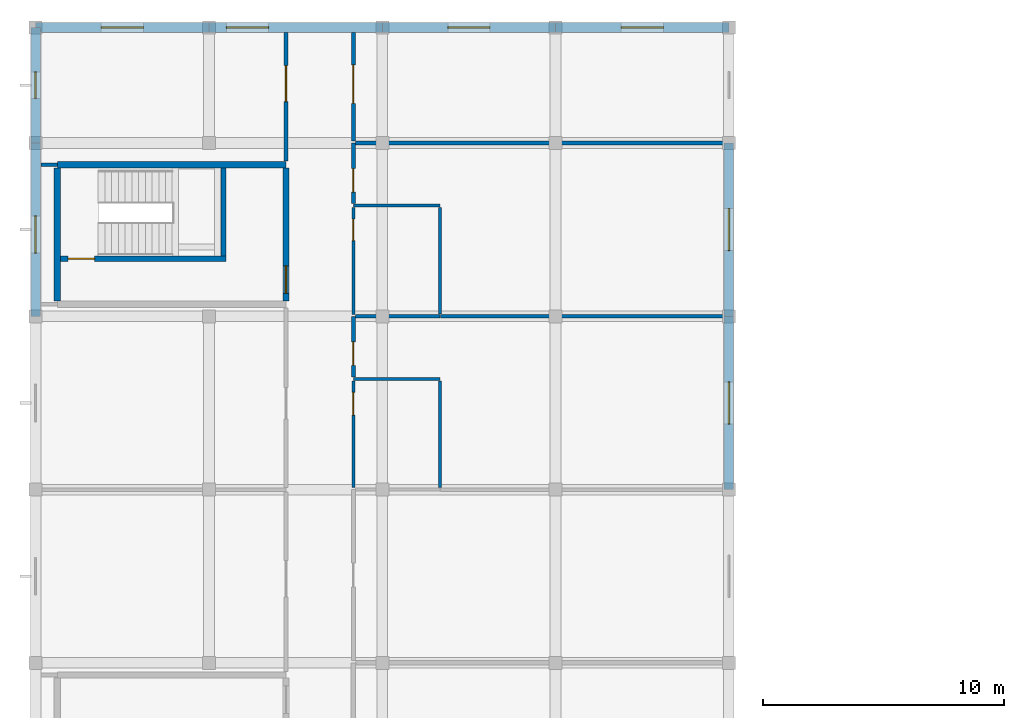
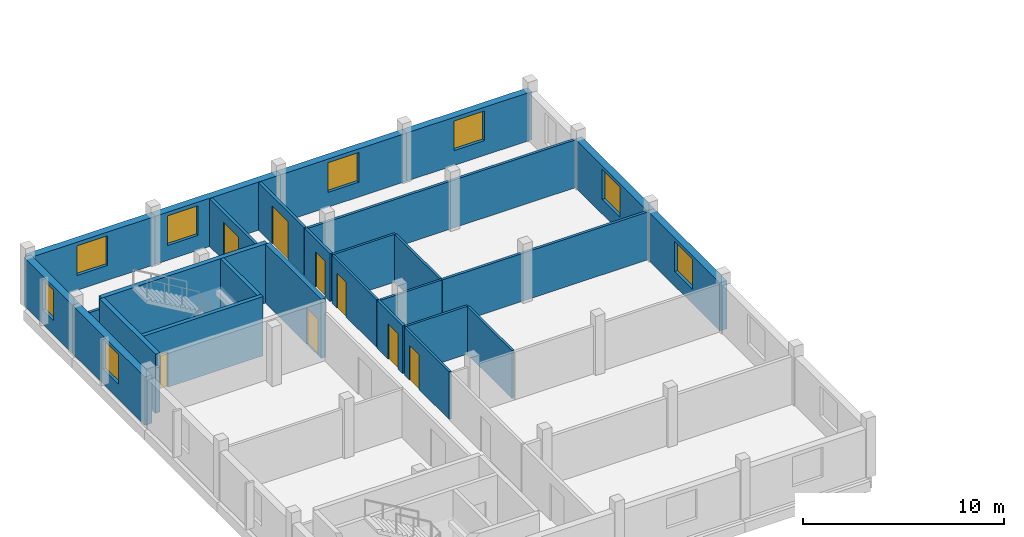
# One storey, part 79 of 93: 27 walls, 8 doors, 8 windows, 16 openings.
"""IFC4 building model written with IfcOpenShell, lengths in metres."""

from ifc_helpers import new_model, si_unit, direction, frame, frame_2d, origin, place, context, subcontext, project, spatial, rectangle, extrude, material, layer, layer_set, type_object, element, fill, save


model = new_model("IFC4")

# Units and contexts
model_context = context("Model", 3, precision=1e-05, world=origin(), true_north=direction((0.0, 1.0)))
body_context = subcontext(model_context, "Body", "Model", "MODEL_VIEW")
ifc_project = project(units=[si_unit("LENGTHUNIT", "METRE"), si_unit("AREAUNIT", "SQUARE_METRE"), si_unit("VOLUMEUNIT", "CUBIC_METRE"), si_unit("PLANEANGLEUNIT", "RADIAN"), si_unit("MASSUNIT", "GRAM", prefix="KILO")], contexts=[model_context])

# Site, building, storey
site_placement = place(None, origin())
site = spatial("IfcSite", under=ifc_project, at=site_placement, CompositionType="ELEMENT")
building_placement = place(site_placement, origin())
building = spatial("IfcBuilding", under=site, at=building_placement, Name="Zornivar Specialist Clinic", CompositionType="ELEMENT")
storey_placement = place(building_placement, frame((0.0, 0.0, 8.39990234375)))
storey = spatial("IfcBuildingStorey", under=building, at=storey_placement, Name="L02", CompositionType="ELEMENT", Elevation=8.39990234375)

# Wall, opening, window
ifc_material_1 = material(Name="Masonry Hygienic Insulated Procedure Wing Wall", Category="masonry")
ifc_layer_1 = layer(ifc_material_1, 0.39990234375)
ifc_layer_set_1 = layer_set([ifc_layer_1], Name="Masonry Hygienic Insulated Procedure Wing Wall")
wall_type_1 = type_object("IfcWallType", Name="EW-PROC-400", PredefinedType="SOLIDWALL", material=ifc_layer_set_1)
wall_1_placement = place(storey_placement, frame((28.800048828125, 93.60009765625, 0.0), z_axis=(0.0, 0.0, 1.0), x_axis=(0.0, 1.0, 0.0)))
wall_1 = element("IfcWall", 1, at=wall_1_placement, inside=storey, type_object=wall_type_1, Name="ew:V5:L02:06", PredefinedType="SOLIDWALL", context=body_context, shape_type="SweptSolid", body=[
    extrude(rectangle(XDim=7.199951171875, YDim=0.39990234375, at=frame_2d((3.60009765625, 0.0))), origin(), (0.0, 0.0, 1.0), 2.920166015625),
])
opening_1_placement = place(wall_1_placement, frame((2.72509765625, 0.0, 0.89990234375)))
opening_1 = element("IfcOpeningElement", 2, at=opening_1_placement, cuts=wall_1, Name="Opening W-17", PredefinedType="OPENING", context=body_context, shape_type="SweptSolid", body=[
    extrude(rectangle(XDim=1.75, YDim=1.800048828125, at=frame_2d((0.875, 0.89990234375))), frame((0.0, 0.2099609375, 0.0), z_axis=(0.0, -1.0, 0.0), x_axis=(1.0, 0.0, 0.0)), (0.0, 0.0, 1.0), 0.419921875),
])
ifc_material_2 = material(Name="Triple-Glazed Aluminium-Timber Window Glass", Category="wood")
window_type_1 = type_object("IfcWindowType", Name="WIN-PROC-COURT-1750x1800", PartitioningType="SINGLE_PANEL", PredefinedType="WINDOW", material=ifc_material_2)
window_1_placement = place(opening_1_placement, origin())
window_1 = element("IfcWindow", 3, at=window_1_placement, inside=storey, type_object=window_type_1, Name="win:V5:L02:06", OverallHeight=1.800048828125, OverallWidth=1.75, PartitioningType="SINGLE_PANEL", PredefinedType="WINDOW", context=body_context, shape_type="SweptSolid", body=[
    extrude(rectangle(XDim=1.75, YDim=1.800048828125, at=frame_2d((0.875, 0.89990234375))), frame((0.0, 0.030029296875, 0.0), z_axis=(0.0, -1.0, 0.0), x_axis=(1.0, 0.0, 0.0)), (0.0, 0.0, 1.0), 0.06005859375),
])
fill(opening_1, window_1)

wall_2_placement = place(storey_placement, frame((28.800048828125, 100.800048828125, 0.0), z_axis=(0.0, 0.0, 1.0), x_axis=(0.0, 1.0, 0.0)))
wall_2 = element("IfcWall", 4, at=wall_2_placement, inside=storey, type_object=wall_type_1, Name="ew:V5:L02:07", PredefinedType="SOLIDWALL", context=body_context, shape_type="SweptSolid", body=[
    extrude(rectangle(XDim=7.199951171875, YDim=0.39990234375, at=frame_2d((3.60009765625, 0.0))), origin(), (0.0, 0.0, 1.0), 2.920166015625),
])
opening_2_placement = place(wall_2_placement, frame((2.72509765625, 0.0, 0.89990234375)))
opening_2 = element("IfcOpeningElement", 5, at=opening_2_placement, cuts=wall_2, Name="Opening W-17", PredefinedType="OPENING", context=body_context, shape_type="SweptSolid", body=[
    extrude(rectangle(XDim=1.75, YDim=1.800048828125, at=frame_2d((0.875, 0.89990234375))), frame((0.0, 0.2099609375, 0.0), z_axis=(0.0, -1.0, 0.0), x_axis=(1.0, 0.0, 0.0)), (0.0, 0.0, 1.0), 0.419921875),
])
window_2_placement = place(opening_2_placement, origin())
window_2 = element("IfcWindow", 6, at=window_2_placement, inside=storey, type_object=window_type_1, Name="win:V5:L02:07", OverallHeight=1.800048828125, OverallWidth=1.75, PartitioningType="SINGLE_PANEL", PredefinedType="WINDOW", context=body_context, shape_type="SweptSolid", body=[
    extrude(rectangle(XDim=1.75, YDim=1.800048828125, at=frame_2d((0.875, 0.89990234375))), frame((0.0, 0.030029296875, 0.0), z_axis=(0.0, -1.0, 0.0), x_axis=(1.0, 0.0, 0.0)), (0.0, 0.0, 1.0), 0.06005859375),
])
fill(opening_2, window_2)

wall_3_placement = place(storey_placement, frame((28.800048828125, 112.800048828125, 0.0), z_axis=(0.0, 0.0, 1.0), x_axis=(-1.0, 0.0, 0.0)))
wall_3 = element("IfcWall", 7, at=wall_3_placement, inside=storey, type_object=wall_type_1, Name="ew:V5:L02:09", PredefinedType="SOLIDWALL", context=body_context, shape_type="SweptSolid", body=[
    extrude(rectangle(XDim=7.199951171875, YDim=0.39990234375, at=frame_2d((3.60009765625, 0.0))), origin(), (0.0, 0.0, 1.0), 2.920166015625),
])
opening_3_placement = place(wall_3_placement, frame((2.72509765625, 0.0, 0.89990234375)))
opening_3 = element("IfcOpeningElement", 8, at=opening_3_placement, cuts=wall_3, Name="Opening W-17", PredefinedType="OPENING", context=body_context, shape_type="SweptSolid", body=[
    extrude(rectangle(XDim=1.75, YDim=1.800048828125, at=frame_2d((0.875, 0.89990234375))), frame((0.0, 0.2099609375, 0.0), z_axis=(0.0, -1.0, 0.0), x_axis=(1.0, 0.0, 0.0)), (0.0, 0.0, 1.0), 0.419921875),
])
window_3_placement = place(opening_3_placement, origin())
window_3 = element("IfcWindow", 9, at=window_3_placement, inside=storey, type_object=window_type_1, Name="win:V5:L02:09", OverallHeight=1.800048828125, OverallWidth=1.75, PartitioningType="SINGLE_PANEL", PredefinedType="WINDOW", context=body_context, shape_type="SweptSolid", body=[
    extrude(rectangle(XDim=1.75, YDim=1.800048828125, at=frame_2d((0.875, 0.89990234375))), frame((0.0, 0.030029296875, 0.0), z_axis=(0.0, -1.0, 0.0), x_axis=(1.0, 0.0, 0.0)), (0.0, 0.0, 1.0), 0.06005859375),
])
fill(opening_3, window_3)

wall_4_placement = place(storey_placement, frame((21.60009765625, 112.800048828125, 0.0), z_axis=(0.0, 0.0, 1.0), x_axis=(-1.0, 0.0, 0.0)))
wall_4 = element("IfcWall", 10, at=wall_4_placement, inside=storey, type_object=wall_type_1, Name="ew:V5:L02:10", PredefinedType="SOLIDWALL", context=body_context, shape_type="SweptSolid", body=[
    extrude(rectangle(XDim=7.2001953125, YDim=0.39990234375, at=frame_2d((3.60009765625, 0.0))), origin(), (0.0, 0.0, 1.0), 2.920166015625),
])
opening_4_placement = place(wall_4_placement, frame((2.72509765625, 0.0, 0.89990234375)))
opening_4 = element("IfcOpeningElement", 11, at=opening_4_placement, cuts=wall_4, Name="Opening W-17", PredefinedType="OPENING", context=body_context, shape_type="SweptSolid", body=[
    extrude(rectangle(XDim=1.75, YDim=1.800048828125, at=frame_2d((0.875, 0.89990234375))), frame((0.0, 0.2099609375, 0.0), z_axis=(0.0, -1.0, 0.0), x_axis=(1.0, 0.0, 0.0)), (0.0, 0.0, 1.0), 0.419921875),
])
window_4_placement = place(opening_4_placement, origin())
window_4 = element("IfcWindow", 12, at=window_4_placement, inside=storey, type_object=window_type_1, Name="win:V5:L02:10", OverallHeight=1.800048828125, OverallWidth=1.75, PartitioningType="SINGLE_PANEL", PredefinedType="WINDOW", context=body_context, shape_type="SweptSolid", body=[
    extrude(rectangle(XDim=1.75, YDim=1.800048828125, at=frame_2d((0.875, 0.89990234375))), frame((0.0, 0.030029296875, 0.0), z_axis=(0.0, -1.0, 0.0), x_axis=(1.0, 0.0, 0.0)), (0.0, 0.0, 1.0), 0.06005859375),
])
fill(opening_4, window_4)

wall_5_placement = place(storey_placement, frame((14.39990234375, 112.800048828125, 0.0), z_axis=(0.0, 0.0, 1.0), x_axis=(-1.0, 0.0, 0.0)))
wall_5 = element("IfcWall", 13, at=wall_5_placement, inside=storey, type_object=wall_type_1, Name="ew:V5:L02:11", PredefinedType="SOLIDWALL", context=body_context, shape_type="SweptSolid", body=[
    extrude(rectangle(XDim=7.199951171875, YDim=0.39990234375, at=frame_2d((3.60009765625, 0.0))), origin(), (0.0, 0.0, 1.0), 2.920166015625),
])
opening_5_placement = place(wall_5_placement, frame((4.72509765625, 0.0, 0.89990234375)))
opening_5 = element("IfcOpeningElement", 14, at=opening_5_placement, cuts=wall_5, Name="Opening W-17", PredefinedType="OPENING", context=body_context, shape_type="SweptSolid", body=[
    extrude(rectangle(XDim=1.75, YDim=1.800048828125, at=frame_2d((0.875, 0.89990234375))), frame((0.0, 0.2099609375, 0.0), z_axis=(0.0, -1.0, 0.0), x_axis=(1.0, 0.0, 0.0)), (0.0, 0.0, 1.0), 0.419921875),
])
window_5_placement = place(opening_5_placement, origin())
window_5 = element("IfcWindow", 15, at=window_5_placement, inside=storey, type_object=window_type_1, Name="win:V5:L02:11", OverallHeight=1.800048828125, OverallWidth=1.75, PartitioningType="SINGLE_PANEL", PredefinedType="WINDOW", context=body_context, shape_type="SweptSolid", body=[
    extrude(rectangle(XDim=1.75, YDim=1.800048828125, at=frame_2d((0.875, 0.89990234375))), frame((0.0, 0.030029296875, 0.0), z_axis=(0.0, -1.0, 0.0), x_axis=(1.0, 0.0, 0.0)), (0.0, 0.0, 1.0), 0.06005859375),
])
fill(opening_5, window_5)

wall_6_placement = place(storey_placement, frame((7.199951171875, 112.800048828125, 0.0), z_axis=(0.0, 0.0, 1.0), x_axis=(-1.0, 0.0, 0.0)))
wall_6 = element("IfcWall", 16, at=wall_6_placement, inside=storey, type_object=wall_type_1, Name="ew:V5:L02:12", PredefinedType="SOLIDWALL", context=body_context, shape_type="SweptSolid", body=[
    extrude(rectangle(XDim=7.199951171875, YDim=0.39990234375, at=frame_2d((3.60009765625, 0.0))), origin(), (0.0, 0.0, 1.0), 2.920166015625),
])
opening_6_placement = place(wall_6_placement, frame((2.72509765625, 0.0, 0.89990234375)))
opening_6 = element("IfcOpeningElement", 17, at=opening_6_placement, cuts=wall_6, Name="Opening W-17", PredefinedType="OPENING", context=body_context, shape_type="SweptSolid", body=[
    extrude(rectangle(XDim=1.75, YDim=1.800048828125, at=frame_2d((0.875, 0.89990234375))), frame((0.0, 0.2099609375, 0.0), z_axis=(0.0, -1.0, 0.0), x_axis=(1.0, 0.0, 0.0)), (0.0, 0.0, 1.0), 0.419921875),
])
window_6_placement = place(opening_6_placement, origin())
window_6 = element("IfcWindow", 18, at=window_6_placement, inside=storey, type_object=window_type_1, Name="win:V5:L02:12", OverallHeight=1.800048828125, OverallWidth=1.75, PartitioningType="SINGLE_PANEL", PredefinedType="WINDOW", context=body_context, shape_type="SweptSolid", body=[
    extrude(rectangle(XDim=1.75, YDim=1.800048828125, at=frame_2d((0.875, 0.89990234375))), frame((0.0, 0.030029296875, 0.0), z_axis=(0.0, -1.0, 0.0), x_axis=(1.0, 0.0, 0.0)), (0.0, 0.0, 1.0), 0.06005859375),
])
fill(opening_6, window_6)

wall_7_placement = place(storey_placement, frame((0.0, 112.800048828125, 0.0), z_axis=(0.0, 0.0, 1.0), x_axis=(0.0, -1.0, 0.0)))
wall_7 = element("IfcWall", 19, at=wall_7_placement, inside=storey, type_object=wall_type_1, Name="ew:V5:L02:13", PredefinedType="SOLIDWALL", context=body_context, shape_type="SweptSolid", body=[
    extrude(rectangle(XDim=4.800048828125, YDim=0.39990234375, at=frame_2d((2.39990234375, 0.0))), origin(), (0.0, 0.0, 1.0), 2.920166015625),
])
opening_7_placement = place(wall_7_placement, frame((1.85009765625, 0.0, 0.85009765625)))
opening_7 = element("IfcOpeningElement", 20, at=opening_7_placement, cuts=wall_7, Name="Opening W-07", PredefinedType="OPENING", context=body_context, shape_type="SweptSolid", body=[
    extrude(rectangle(XDim=1.10009765625, YDim=1.85009765625, at=frame_2d((0.550048828125, 0.925048828125))), frame((0.0, 0.2099609375, 0.0), z_axis=(0.0, -1.0, 0.0), x_axis=(1.0, 0.0, 0.0)), (0.0, 0.0, 1.0), 0.419921875),
])
ifc_material_3 = material(Name="Triple-Glazed Aluminium-Timber Window Glass", Category="wood")
window_type_2 = type_object("IfcWindowType", Name="WIN-OUTP-PIER-1100x1850", PartitioningType="SINGLE_PANEL", PredefinedType="WINDOW", material=ifc_material_3)
window_7_placement = place(opening_7_placement, origin())
window_7 = element("IfcWindow", 21, at=window_7_placement, inside=storey, type_object=window_type_2, Name="win:V5:L02:13", OverallHeight=1.85009765625, OverallWidth=1.10009765625, PartitioningType="SINGLE_PANEL", PredefinedType="WINDOW", context=body_context, shape_type="SweptSolid", body=[
    extrude(rectangle(XDim=1.10009765625, YDim=1.85009765625, at=frame_2d((0.550048828125, 0.925048828125))), frame((0.0, 0.030029296875, 0.0), z_axis=(0.0, -1.0, 0.0), x_axis=(1.0, 0.0, 0.0)), (0.0, 0.0, 1.0), 0.06005859375),
])
fill(opening_7, window_7)

wall_8_placement = place(storey_placement, frame((0.0, 108.0, 0.0), z_axis=(0.0, 0.0, 1.0), x_axis=(0.0, -1.0, 0.0)))
wall_8 = element("IfcWall", 22, at=wall_8_placement, inside=storey, type_object=wall_type_1, Name="ew:V5:L02:14", PredefinedType="SOLIDWALL", context=body_context, shape_type="SweptSolid", body=[
    extrude(rectangle(XDim=7.199951171875, YDim=0.39990234375, at=frame_2d((3.60009765625, 0.0))), origin(), (0.0, 0.0, 1.0), 2.920166015625),
])
opening_8_placement = place(wall_8_placement, frame((3.02490234375, 0.0, 0.89990234375)))
opening_8 = element("IfcOpeningElement", 23, at=opening_8_placement, cuts=wall_8, Name="Opening W-16", PredefinedType="OPENING", context=body_context, shape_type="SweptSolid", body=[
    extrude(rectangle(XDim=1.550048828125, YDim=1.800048828125, at=frame_2d((0.77490234375, 0.89990234375))), frame((0.0, 0.2099609375, 0.0), z_axis=(0.0, -1.0, 0.0), x_axis=(1.0, 0.0, 0.0)), (0.0, 0.0, 1.0), 0.419921875),
])
ifc_material_4 = material(Name="Triple-Glazed Aluminium-Timber Window Glass", Category="wood")
window_type_3 = type_object("IfcWindowType", Name="WIN-PROC-WEST-1550x1800", PartitioningType="SINGLE_PANEL", PredefinedType="WINDOW", material=ifc_material_4)
window_8_placement = place(opening_8_placement, origin())
window_8 = element("IfcWindow", 24, at=window_8_placement, inside=storey, type_object=window_type_3, Name="win:V5:L02:14", OverallHeight=1.800048828125, OverallWidth=1.550048828125, PartitioningType="SINGLE_PANEL", PredefinedType="WINDOW", context=body_context, shape_type="SweptSolid", body=[
    extrude(rectangle(XDim=1.550048828125, YDim=1.800048828125, at=frame_2d((0.77490234375, 0.89990234375))), frame((0.0, 0.030029296875, 0.0), z_axis=(0.0, -1.0, 0.0), x_axis=(1.0, 0.0, 0.0)), (0.0, 0.0, 1.0), 0.06005859375),
])
fill(opening_8, window_8)

# Wall, opening, door
ifc_material_5 = material(Name="Gypsum Fire-Rated Double Stud Partition")
ifc_layer_2 = layer(ifc_material_5, 0.159912109375)
ifc_layer_set_2 = layer_set([ifc_layer_2], Name="Gypsum Fire-Rated Double Stud Partition")
wall_type_2 = type_object("IfcWallType", Name="IW-CORR-EI60-160", PredefinedType="PARTITIONING", material=ifc_layer_set_2)
wall_9_placement = place(storey_placement, frame((10.39990234375, 112.5849609375, 0.0), z_axis=(0.0, 0.0, 1.0), x_axis=(0.0, -1.0, 0.0)))
wall_9 = element("IfcWall", 25, at=wall_9_placement, inside=storey, type_object=wall_type_2, Name="iw:L02:114", PredefinedType="PARTITIONING", context=body_context, shape_type="SweptSolid", body=[
    extrude(rectangle(XDim=5.33984375, YDim=0.159912109375, at=frame_2d((2.669921875, 0.0))), origin(), (0.0, 0.0, 1.0), 2.900146484375),
])
opening_9_placement = place(wall_9_placement, frame((1.365966796875, 0.0, 0.0)))
opening_9 = element("IfcOpeningElement", 26, at=opening_9_placement, cuts=wall_9, Name="Opening ID-01", PredefinedType="OPENING", context=body_context, shape_type="SweptSolid", body=[
    extrude(rectangle(XDim=1.5, YDim=2.300048828125, at=frame_2d((0.75, 1.14990234375))), frame((0.0, 0.08984375, 0.0), z_axis=(0.0, -1.0, 0.0), x_axis=(1.0, 0.0, 0.0)), (0.0, 0.0, 1.0), 0.179931640625),
])
ifc_material_6 = material(Name="Solid-Core Hygienic Laminate Timber Door", Category="wood")
door_type_1 = type_object("IfcDoorType", Name="ID-OR-SUITE-1500x2300", OperationType="NOTDEFINED", PredefinedType="DOOR", material=ifc_material_6)
door_1_placement = place(opening_9_placement, origin())
door_1 = element("IfcDoor", 27, at=door_1_placement, inside=storey, type_object=door_type_1, Name="door:space:V5:L02:rm:02", OperationType="DOUBLE_DOOR_SINGLE_SWING", OverallHeight=2.300048828125, OverallWidth=1.5, PredefinedType="DOOR", context=body_context, shape_type="SweptSolid", body=[
    extrude(rectangle(XDim=1.5, YDim=2.300048828125, at=frame_2d((0.75, 1.14990234375))), frame((0.0, 0.02490234375, 0.0), z_axis=(0.0, -1.0, 0.0), x_axis=(1.0, 0.0, 0.0)), (0.0, 0.0, 1.0), 0.050048828125),
])
fill(opening_9, door_1)

wall_10_placement = place(storey_placement, frame((13.199951171875, 98.279052734375, 0.0), z_axis=(0.0, 0.0, 1.0), x_axis=(0.0, 1.0, 0.0)))
wall_10 = element("IfcWall", 28, at=wall_10_placement, inside=storey, type_object=wall_type_2, Name="iw:L02:124", PredefinedType="PARTITIONING", context=body_context, shape_type="SweptSolid", body=[
    extrude(rectangle(XDim=2.52099609375, YDim=0.159912109375, at=frame_2d((1.260498046875, 0.0))), origin(), (0.0, 0.0, 1.0), 2.900146484375),
])
opening_10_placement = place(wall_10_placement, frame((0.47998046875, 0.0, 0.0)))
opening_10 = element("IfcOpeningElement", 29, at=opening_10_placement, cuts=wall_10, Name="Opening ID-09", PredefinedType="OPENING", context=body_context, shape_type="SweptSolid", body=[
    extrude(rectangle(XDim=0.97998046875, YDim=2.14990234375, at=frame_2d((0.489990234375, 1.074951171875))), frame((0.0, 0.08984375, 0.0), z_axis=(0.0, -1.0, 0.0), x_axis=(1.0, 0.0, 0.0)), (0.0, 0.0, 1.0), 0.179931640625),
])
ifc_material_7 = material(Name="Solid-Core Hygienic Laminate Timber Door", Category="wood")
door_type_2 = type_object("IfcDoorType", Name="ID-STAFF-0980x2150", OperationType="NOTDEFINED", PredefinedType="DOOR", material=ifc_material_7)
door_2_placement = place(opening_10_placement, origin())
door_2 = element("IfcDoor", 30, at=door_2_placement, inside=storey, type_object=door_type_2, Name="door:space:V5:L02:rm:05b", OperationType="SINGLE_SWING_RIGHT", OverallHeight=2.14990234375, OverallWidth=0.97998046875, PredefinedType="DOOR", context=body_context, shape_type="SweptSolid", body=[
    extrude(rectangle(XDim=0.97998046875, YDim=2.14990234375, at=frame_2d((0.489990234375, 1.074951171875))), frame((0.0, 0.02490234375, 0.0), z_axis=(0.0, -1.0, 0.0), x_axis=(1.0, 0.0, 0.0)), (0.0, 0.0, 1.0), 0.050048828125),
])
fill(opening_10, door_2)

wall_11_placement = place(storey_placement, frame((13.199951171875, 105.47900390625, 0.0), z_axis=(0.0, 0.0, 1.0), x_axis=(0.0, 1.0, 0.0)))
wall_11 = element("IfcWall", 31, at=wall_11_placement, inside=storey, type_object=wall_type_2, Name="iw:L02:130", PredefinedType="PARTITIONING", context=body_context, shape_type="SweptSolid", body=[
    extrude(rectangle(XDim=2.52099609375, YDim=0.159912109375, at=frame_2d((1.260498046875, 0.0))), origin(), (0.0, 0.0, 1.0), 2.900146484375),
])
opening_11_placement = place(wall_11_placement, frame((0.47998046875, 0.0, 0.0)))
opening_11 = element("IfcOpeningElement", 32, at=opening_11_placement, cuts=wall_11, Name="Opening ID-09", PredefinedType="OPENING", context=body_context, shape_type="SweptSolid", body=[
    extrude(rectangle(XDim=0.97998046875, YDim=2.14990234375, at=frame_2d((0.489990234375, 1.074951171875))), frame((0.0, 0.08984375, 0.0), z_axis=(0.0, -1.0, 0.0), x_axis=(1.0, 0.0, 0.0)), (0.0, 0.0, 1.0), 0.179931640625),
])
door_3_placement = place(opening_11_placement, origin())
door_3 = element("IfcDoor", 33, at=door_3_placement, inside=storey, type_object=door_type_2, Name="door:space:V5:L02:rm:07b", OperationType="SINGLE_SWING_RIGHT", OverallHeight=2.14990234375, OverallWidth=0.97998046875, PredefinedType="DOOR", context=body_context, shape_type="SweptSolid", body=[
    extrude(rectangle(XDim=0.97998046875, YDim=2.14990234375, at=frame_2d((0.489990234375, 1.074951171875))), frame((0.0, 0.02490234375, 0.0), z_axis=(0.0, -1.0, 0.0), x_axis=(1.0, 0.0, 0.0)), (0.0, 0.0, 1.0), 0.050048828125),
])
fill(opening_11, door_3)

wall_12_placement = place(storey_placement, frame((13.199951171875, 108.089111328125, 0.0), z_axis=(0.0, 0.0, 1.0), x_axis=(0.0, 1.0, 0.0)))
wall_12 = element("IfcWall", 34, at=wall_12_placement, inside=storey, type_object=wall_type_2, Name="iw:L02:132", PredefinedType="PARTITIONING", context=body_context, shape_type="SweptSolid", body=[
    extrude(rectangle(XDim=4.495849609375, YDim=0.159912109375, at=frame_2d((2.248046875, 0.0))), origin(), (0.0, 0.0, 1.0), 2.900146484375),
])
opening_12_placement = place(wall_12_placement, frame((1.555908203125, 0.0, 0.0)))
opening_12 = element("IfcOpeningElement", 35, at=opening_12_placement, cuts=wall_12, Name="Opening ID-02", PredefinedType="OPENING", context=body_context, shape_type="SweptSolid", body=[
    extrude(rectangle(XDim=1.60009765625, YDim=2.300048828125, at=frame_2d((0.800048828125, 1.14990234375))), frame((0.0, 0.08984375, 0.0), z_axis=(0.0, -1.0, 0.0), x_axis=(1.0, 0.0, 0.0)), (0.0, 0.0, 1.0), 0.179931640625),
])
ifc_material_8 = material(Name="Solid-Core Hygienic Laminate Timber Door", Category="wood")
door_type_3 = type_object("IfcDoorType", Name="ID-IMG-1600x2300", OperationType="NOTDEFINED", PredefinedType="DOOR", material=ifc_material_8)
door_4_placement = place(opening_12_placement, origin())
door_4 = element("IfcDoor", 36, at=door_4_placement, inside=storey, type_object=door_type_3, Name="door:space:V5:L02:rm:09", OperationType="DOUBLE_DOOR_SINGLE_SWING", OverallHeight=2.300048828125, OverallWidth=1.60009765625, PredefinedType="DOOR", context=body_context, shape_type="SweptSolid", body=[
    extrude(rectangle(XDim=1.60009765625, YDim=2.300048828125, at=frame_2d((0.800048828125, 1.14990234375))), frame((0.0, 0.02490234375, 0.0), z_axis=(0.0, -1.0, 0.0), x_axis=(1.0, 0.0, 0.0)), (0.0, 0.0, 1.0), 0.050048828125),
])
fill(opening_12, door_4)

# Walls
ifc_material_9 = material(Name="Hygienic Lead-Free Procedure Partition")
ifc_layer_3 = layer(ifc_material_9, 0.14990234375)
ifc_layer_set_3 = layer_set([ifc_layer_3], Name="Hygienic Lead-Free Procedure Partition")
wall_type_3 = type_object("IfcWallType", Name="IW-PROC-150", PredefinedType="PARTITIONING", material=ifc_layer_set_3)
wall_13_placement = place(storey_placement, frame((0.89990234375, 107.10009765625, 0.0), z_axis=(0.0, 0.0, 1.0), x_axis=(-1.0, 0.0, 0.0)))
element("IfcWall", 37, at=wall_13_placement, inside=storey, type_object=wall_type_3, Name="iw:L02:115", PredefinedType="PARTITIONING", context=body_context, shape_type="SweptSolid", body=[
    extrude(rectangle(XDim=0.684814453125, YDim=0.14990234375, at=frame_2d((0.34228515625, 0.0))), origin(), (0.0, 0.0, 1.0), 2.900146484375),
])
wall_14_placement = place(storey_placement, frame((16.81201171875, 100.800048828125, 0.0), z_axis=(0.0, 0.0, 1.0), x_axis=(1.0, 0.0, 0.0)))
element("IfcWall", 38, at=wall_14_placement, inside=storey, type_object=wall_type_3, Name="iw:L02:126", PredefinedType="PARTITIONING", context=body_context, shape_type="SweptSolid", body=[
    extrude(rectangle(XDim=11.77294921875, YDim=0.14990234375, at=frame_2d((5.886474609375, 0.0))), origin(), (0.0, 0.0, 1.0), 2.900146484375),
])
wall_15_placement = place(storey_placement, frame((13.2939453125, 108.0, 0.0), z_axis=(0.0, 0.0, 1.0), x_axis=(1.0, 0.0, 0.0)))
element("IfcWall", 39, at=wall_15_placement, inside=storey, type_object=wall_type_3, Name="iw:L02:131", PredefinedType="PARTITIONING", context=body_context, shape_type="SweptSolid", body=[
    extrude(rectangle(XDim=15.291015625, YDim=0.14990234375, at=frame_2d((7.6455078125, 0.0))), origin(), (0.0, 0.0, 1.0), 2.900146484375),
])
ifc_material_10 = material(Name="Moisture-Resistant Sanitary Partition")
ifc_layer_4 = layer(ifc_material_10, 0.1298828125)
ifc_layer_set_4 = layer_set([ifc_layer_4], Name="Moisture-Resistant Sanitary Partition")
wall_type_4 = type_object("IfcWallType", Name="IW-WET-130", PredefinedType="PARTITIONING", material=ifc_layer_set_4)
wall_16_placement = place(storey_placement, frame((13.199951171875, 98.199951171875, 0.0), z_axis=(0.0, 0.0, 1.0), x_axis=(1.0, 0.0, 0.0)))
element("IfcWall", 40, at=wall_16_placement, inside=storey, type_object=wall_type_4, Name="iw:L02:121", PredefinedType="PARTITIONING", context=body_context, shape_type="SweptSolid", body=[
    extrude(rectangle(XDim=3.60009765625, YDim=0.1298828125, at=frame_2d((1.800048828125, 0.0))), origin(), (0.0, 0.0, 1.0), 2.900146484375),
])
wall_17_placement = place(storey_placement, frame((16.800048828125, 98.12109375, 0.0), z_axis=(0.0, 0.0, 1.0), x_axis=(0.0, -1.0, 0.0)))
element("IfcWall", 41, at=wall_17_placement, inside=storey, type_object=wall_type_4, Name="iw:L02:122", PredefinedType="PARTITIONING", context=body_context, shape_type="SweptSolid", body=[
    extrude(rectangle(XDim=4.43212890625, YDim=0.1298828125, at=frame_2d((2.216064453125, 0.0))), origin(), (0.0, 0.0, 1.0), 2.900146484375),
])

# Wall, opening, door
wall_18_placement = place(storey_placement, frame((13.199951171875, 93.678955078125, 0.0), z_axis=(0.0, 0.0, 1.0), x_axis=(0.0, 1.0, 0.0)))
wall_18 = element("IfcWall", 42, at=wall_18_placement, inside=storey, type_object=wall_type_4, Name="iw:L02:123", PredefinedType="PARTITIONING", context=body_context, shape_type="SweptSolid", body=[
    extrude(rectangle(XDim=4.442138671875, YDim=0.1298828125, at=frame_2d((2.22119140625, 0.0))), origin(), (0.0, 0.0, 1.0), 2.900146484375),
])
opening_13_placement = place(wall_18_placement, frame((3.011962890625, 0.0, 0.0)))
opening_13 = element("IfcOpeningElement", 43, at=opening_13_placement, cuts=wall_18, Name="Opening ID-07", PredefinedType="OPENING", context=body_context, shape_type="SweptSolid", body=[
    extrude(rectangle(XDim=0.949951171875, YDim=2.10009765625, at=frame_2d((0.47509765625, 1.050048828125))), frame((0.0, 0.074951171875, 0.0), z_axis=(0.0, -1.0, 0.0), x_axis=(1.0, 0.0, 0.0)), (0.0, 0.0, 1.0), 0.14990234375),
])
ifc_material_11 = material(Name="Solid-Core Hygienic Laminate Timber Door", Category="wood")
door_type_4 = type_object("IfcDoorType", Name="ID-WC-ACC-0950x2100", OperationType="NOTDEFINED", PredefinedType="DOOR", material=ifc_material_11)
door_5_placement = place(opening_13_placement, origin())
door_5 = element("IfcDoor", 44, at=door_5_placement, inside=storey, type_object=door_type_4, Name="door:space:V5:L02:rm:05", OperationType="SINGLE_SWING_LEFT", OverallHeight=2.10009765625, OverallWidth=0.949951171875, PredefinedType="DOOR", context=body_context, shape_type="SweptSolid", body=[
    extrude(rectangle(XDim=0.949951171875, YDim=2.10009765625, at=frame_2d((0.47509765625, 1.050048828125))), frame((0.0, 0.02490234375, 0.0), z_axis=(0.0, -1.0, 0.0), x_axis=(1.0, 0.0, 0.0)), (0.0, 0.0, 1.0), 0.050048828125),
])
fill(opening_13, door_5)

# Walls
wall_19_placement = place(storey_placement, frame((13.2939453125, 100.800048828125, 0.0), z_axis=(0.0, 0.0, 1.0), x_axis=(1.0, 0.0, 0.0)))
element("IfcWall", 45, at=wall_19_placement, inside=storey, type_object=wall_type_4, Name="iw:L02:125", PredefinedType="PARTITIONING", context=body_context, shape_type="SweptSolid", body=[
    extrude(rectangle(XDim=3.506103515625, YDim=0.1298828125, at=frame_2d((1.7529296875, 0.0))), origin(), (0.0, 0.0, 1.0), 2.900146484375),
])
wall_20_placement = place(storey_placement, frame((13.199951171875, 105.39990234375, 0.0), z_axis=(0.0, 0.0, 1.0), x_axis=(1.0, 0.0, 0.0)))
element("IfcWall", 46, at=wall_20_placement, inside=storey, type_object=wall_type_4, Name="iw:L02:127", PredefinedType="PARTITIONING", context=body_context, shape_type="SweptSolid", body=[
    extrude(rectangle(XDim=3.60009765625, YDim=0.1298828125, at=frame_2d((1.800048828125, 0.0))), origin(), (0.0, 0.0, 1.0), 2.900146484375),
])
wall_21_placement = place(storey_placement, frame((16.800048828125, 105.321044921875, 0.0), z_axis=(0.0, 0.0, 1.0), x_axis=(0.0, -1.0, 0.0)))
element("IfcWall", 47, at=wall_21_placement, inside=storey, type_object=wall_type_4, Name="iw:L02:128", PredefinedType="PARTITIONING", context=body_context, shape_type="SweptSolid", body=[
    extrude(rectangle(XDim=4.43212890625, YDim=0.1298828125, at=frame_2d((2.216064453125, 0.0))), origin(), (0.0, 0.0, 1.0), 2.900146484375),
])

# Wall, opening, door
wall_22_placement = place(storey_placement, frame((13.199951171875, 100.87890625, 0.0), z_axis=(0.0, 0.0, 1.0), x_axis=(0.0, 1.0, 0.0)))
wall_22 = element("IfcWall", 48, at=wall_22_placement, inside=storey, type_object=wall_type_4, Name="iw:L02:129", PredefinedType="PARTITIONING", context=body_context, shape_type="SweptSolid", body=[
    extrude(rectangle(XDim=4.442138671875, YDim=0.1298828125, at=frame_2d((2.22119140625, 0.0))), origin(), (0.0, 0.0, 1.0), 2.900146484375),
])
opening_14_placement = place(wall_22_placement, frame((3.06201171875, 0.0, 0.0)))
opening_14 = element("IfcOpeningElement", 49, at=opening_14_placement, cuts=wall_22, Name="Opening ID-08", PredefinedType="OPENING", context=body_context, shape_type="SweptSolid", body=[
    extrude(rectangle(XDim=0.89990234375, YDim=2.10009765625, at=frame_2d((0.449951171875, 1.050048828125))), frame((0.0, 0.074951171875, 0.0), z_axis=(0.0, -1.0, 0.0), x_axis=(1.0, 0.0, 0.0)), (0.0, 0.0, 1.0), 0.14990234375),
])
ifc_material_12 = material(Name="Solid-Core Hygienic Laminate Timber Door", Category="wood")
door_type_5 = type_object("IfcDoorType", Name="ID-WC-STD-0900x2100", OperationType="NOTDEFINED", PredefinedType="DOOR", material=ifc_material_12)
door_6_placement = place(opening_14_placement, origin())
door_6 = element("IfcDoor", 50, at=door_6_placement, inside=storey, type_object=door_type_5, Name="door:space:V5:L02:rm:07", OperationType="SINGLE_SWING_LEFT", OverallHeight=2.10009765625, OverallWidth=0.89990234375, PredefinedType="DOOR", context=body_context, shape_type="SweptSolid", body=[
    extrude(rectangle(XDim=0.89990234375, YDim=2.10009765625, at=frame_2d((0.449951171875, 1.050048828125))), frame((0.0, 0.02490234375, 0.0), z_axis=(0.0, -1.0, 0.0), x_axis=(1.0, 0.0, 0.0)), (0.0, 0.0, 1.0), 0.050048828125),
])
fill(opening_14, door_6)

ifc_material_13 = material(Name="Concrete C35/45", Category="concrete")
ifc_layer_5 = layer(ifc_material_13, 0.260009765625)
ifc_layer_set_5 = layer_set([ifc_layer_5], Name="Concrete C35/45")
wall_type_5 = type_object("IfcWallType", Name="SW-CORE-260", PredefinedType="SHEAR", material=ifc_layer_set_5)
wall_23_placement = place(storey_placement, frame((10.39990234375, 101.429931640625, 0.0), z_axis=(0.0, 0.0, 1.0), x_axis=(0.0, 1.0, 0.0)))
wall_23 = element("IfcWall", 51, at=wall_23_placement, inside=storey, type_object=wall_type_5, Name="sw:C8:L02:w1", PredefinedType="SHEAR", context=body_context, shape_type="SweptSolid", body=[
    extrude(rectangle(XDim=5.5400390625, YDim=0.260009765625, at=frame_2d((2.77001953125, 0.0))), origin(), (0.0, 0.0, 1.0), 3.590087890625),
])
opening_15_placement = place(wall_23_placement, frame((0.320068359375, 0.0, 0.0)))
opening_15 = element("IfcOpeningElement", 52, at=opening_15_placement, cuts=wall_23, Name="Opening FD-03", PredefinedType="OPENING", context=body_context, shape_type="SweptSolid", body=[
    extrude(rectangle(XDim=1.14990234375, YDim=2.199951171875, at=frame_2d((0.574951171875, 1.10009765625))), frame((0.0, 0.139892578125, 0.0), z_axis=(0.0, -1.0, 0.0), x_axis=(1.0, 0.0, 0.0)), (0.0, 0.0, 1.0), 0.280029296875),
])
ifc_material_14 = material(Name="Solid-Core Hygienic Laminate Timber Door", Category="wood")
door_type_6 = type_object("IfcDoorType", Name="FD-LOBBY-UPPER-1150x2200", OperationType="NOTDEFINED", PredefinedType="DOOR", material=ifc_material_14)
door_7_placement = place(opening_15_placement, origin())
door_7 = element("IfcDoor", 53, at=door_7_placement, inside=storey, type_object=door_type_6, Name="door:C8:L02:lob", OperationType="SINGLE_SWING_RIGHT", OverallHeight=2.199951171875, OverallWidth=1.14990234375, PredefinedType="DOOR", context=body_context, shape_type="SweptSolid", body=[
    extrude(rectangle(XDim=1.14990234375, YDim=2.199951171875, at=frame_2d((0.574951171875, 1.10009765625))), frame((0.0, 0.02490234375, 0.0), z_axis=(0.0, -1.0, 0.0), x_axis=(1.0, 0.0, 0.0)), (0.0, 0.0, 1.0), 0.050048828125),
])
fill(opening_15, door_7)

# Walls
wall_24_placement = place(storey_placement, frame((10.39990234375, 107.10009765625, 0.0), z_axis=(0.0, 0.0, 1.0), x_axis=(-1.0, 0.0, 0.0)))
element("IfcWall", 54, at=wall_24_placement, inside=storey, type_object=wall_type_5, Name="sw:C8:L02:w2", PredefinedType="SHEAR", context=body_context, shape_type="SweptSolid", body=[
    extrude(rectangle(XDim=9.5, YDim=0.260009765625, at=frame_2d((4.75, 0.0))), origin(), (0.0, 0.0, 1.0), 3.590087890625),
])
wall_25_placement = place(storey_placement, frame((0.89990234375, 106.969970703125, 0.0), z_axis=(0.0, 0.0, 1.0), x_axis=(0.0, -1.0, 0.0)))
element("IfcWall", 55, at=wall_25_placement, inside=storey, type_object=wall_type_5, Name="sw:C8:L02:w3", PredefinedType="SHEAR", context=body_context, shape_type="SweptSolid", body=[
    extrude(rectangle(XDim=5.5400390625, YDim=0.260009765625, at=frame_2d((2.77001953125, 0.0))), origin(), (0.0, 0.0, 1.0), 3.590087890625),
])
ifc_material_15 = material(Name="Concrete C30/37", Category="concrete")
ifc_layer_6 = layer(ifc_material_15, 0.199951171875)
ifc_layer_set_6 = layer_set([ifc_layer_6], Name="Concrete C30/37")
wall_type_6 = type_object("IfcWallType", Name="SW-LIFT-200", PredefinedType="SHEAR", material=ifc_layer_set_6)
wall_26_placement = place(storey_placement, frame((7.800048828125, 103.300048828125, 0.0), z_axis=(0.0, 0.0, 1.0), x_axis=(0.0, 1.0, 0.0)))
element("IfcWall", 56, at=wall_26_placement, inside=storey, type_object=wall_type_6, Name="sw:C8:L02:sdiv", PredefinedType="SHEAR", context=body_context, shape_type="SweptSolid", body=[
    extrude(rectangle(XDim=3.669921875, YDim=0.199951171875, at=frame_2d((1.8349609375, 0.0))), origin(), (0.0, 0.0, 1.0), 3.590087890625),
])

# Wall, opening, door
ifc_material_16 = material(Name="Concrete C30/37", Category="concrete")
ifc_layer_7 = layer(ifc_material_16, 0.219970703125)
ifc_layer_set_7 = layer_set([ifc_layer_7], Name="Concrete C30/37")
wall_type_7 = type_object("IfcWallType", Name="SW-SHAFT-220", PredefinedType="SHEAR", material=ifc_layer_set_7)
wall_27_placement = place(storey_placement, frame((1.030029296875, 103.18994140625, 0.0), z_axis=(0.0, 0.0, 1.0), x_axis=(1.0, 0.0, 0.0)))
wall_27 = element("IfcWall", 57, at=wall_27_placement, inside=storey, type_object=wall_type_7, Name="sw:C8:L02:stwall", PredefinedType="SHEAR", context=body_context, shape_type="SweptSolid", body=[
    extrude(rectangle(XDim=6.869873046875, YDim=0.219970703125, at=frame_2d((3.43505859375, 0.0))), origin(), (0.0, 0.0, 1.0), 3.590087890625),
])
opening_16_placement = place(wall_27_placement, frame((0.320068359375, 0.0, 0.0)))
opening_16 = element("IfcOpeningElement", 58, at=opening_16_placement, cuts=wall_27, Name="Opening FD-02", PredefinedType="OPENING", context=body_context, shape_type="SweptSolid", body=[
    extrude(rectangle(XDim=1.10009765625, YDim=2.14990234375, at=frame_2d((0.550048828125, 1.074951171875))), frame((0.0, 0.119873046875, 0.0), z_axis=(0.0, -1.0, 0.0), x_axis=(1.0, 0.0, 0.0)), (0.0, 0.0, 1.0), 0.239990234375),
])
ifc_material_17 = material(Name="Solid-Core Hygienic Laminate Timber Door", Category="wood")
door_type_7 = type_object("IfcDoorType", Name="FD-STAIR-1100x2150", OperationType="NOTDEFINED", PredefinedType="DOOR", material=ifc_material_17)
door_8_placement = place(opening_16_placement, origin())
door_8 = element("IfcDoor", 59, at=door_8_placement, inside=storey, type_object=door_type_7, Name="door:C8:L02:stair", OperationType="SINGLE_SWING_LEFT", OverallHeight=2.14990234375, OverallWidth=1.10009765625, PredefinedType="DOOR", context=body_context, shape_type="SweptSolid", body=[
    extrude(rectangle(XDim=1.10009765625, YDim=2.14990234375, at=frame_2d((0.550048828125, 1.074951171875))), frame((0.0, 0.02490234375, 0.0), z_axis=(0.0, -1.0, 0.0), x_axis=(1.0, 0.0, 0.0)), (0.0, 0.0, 1.0), 0.050048828125),
])
fill(opening_16, door_8)

save(model, "model.ifc")
